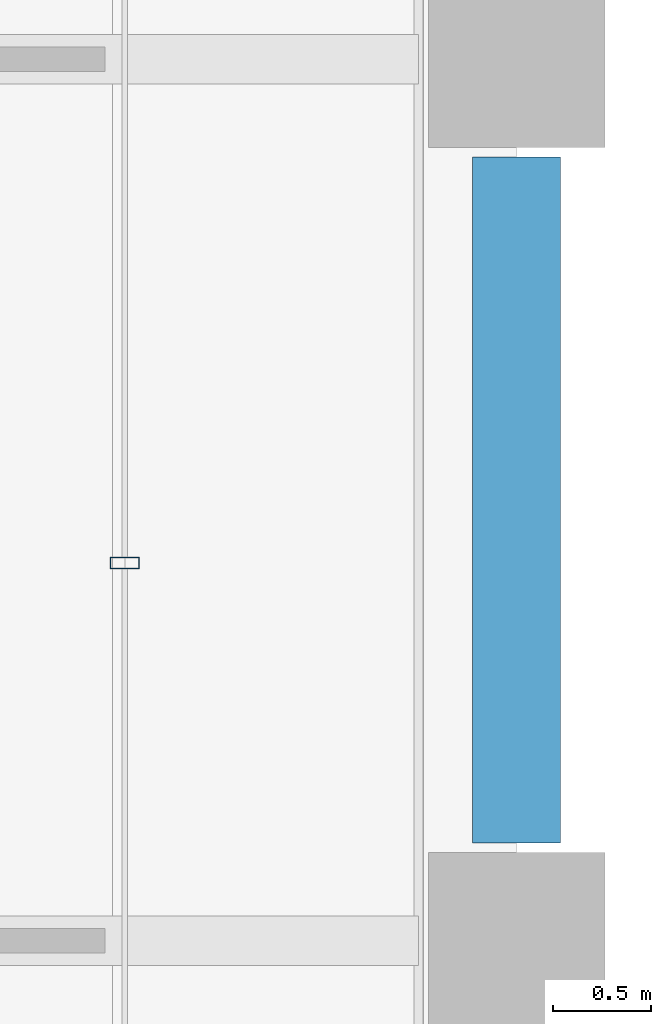
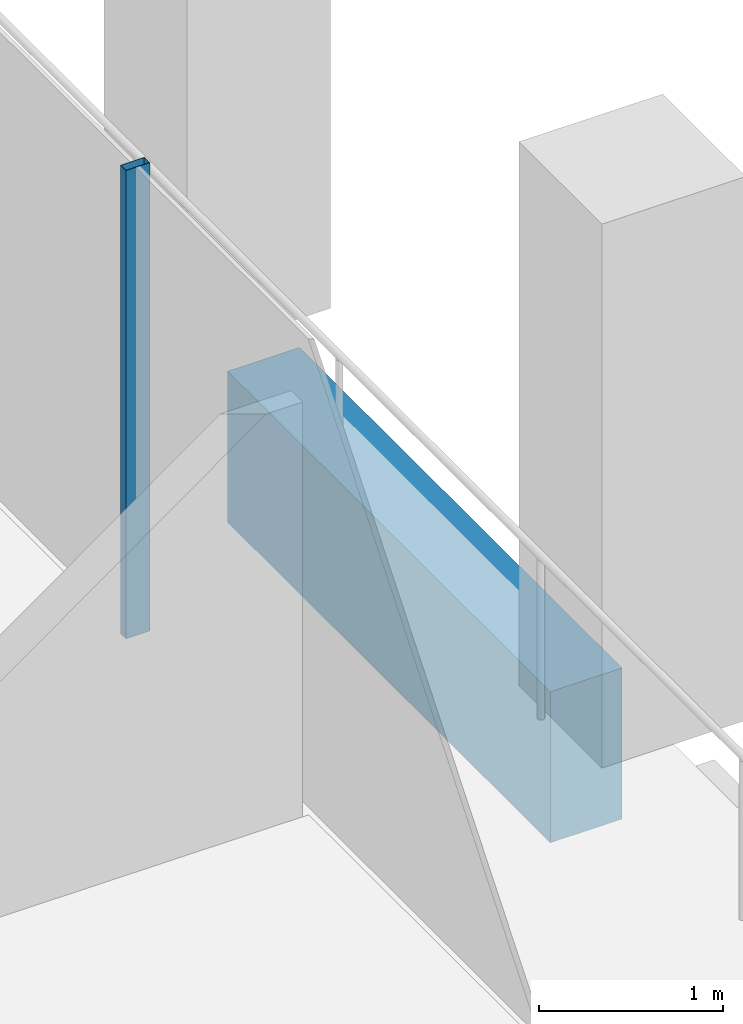
# One storey, part 17 of 44: 1 beam, 1 member, 1 element without a shape of its own.
"""IFC4 building model written with IfcOpenShell, lengths in metres."""

from ifc_helpers import new_model, si_unit, direction, frame, origin, origin_2d, place, context, subcontext, project, spatial, rectangle, hollow_rectangle, extrude, material, material_profile, profile_set, type_object, element, aggregate, save


model = new_model("IFC4")

# Units and contexts
model_context = context("Model", 3, precision=1e-05, world=origin(), true_north=direction((0.0, 1.0)))
body_context = subcontext(model_context, "Body", "Model", "MODEL_VIEW")
ifc_project = project(units=[si_unit("LENGTHUNIT", "METRE"), si_unit("AREAUNIT", "SQUARE_METRE"), si_unit("VOLUMEUNIT", "CUBIC_METRE"), si_unit("PLANEANGLEUNIT", "RADIAN"), si_unit("MASSUNIT", "GRAM", prefix="KILO")], contexts=[model_context])

# Site, building, storey
site_placement = place(None, origin())
site = spatial("IfcSite", under=ifc_project, at=site_placement, CompositionType="ELEMENT")
building_placement = place(site_placement, origin())
building = spatial("IfcBuilding", under=site, at=building_placement, Name="Altepetl Exchange Towers", CompositionType="ELEMENT")
storey_placement = place(building_placement, frame((0.0, 0.0, 143.800048828125)))
storey = spatial("IfcBuildingStorey", under=building, at=storey_placement, Name="L35", CompositionType="ELEMENT", Elevation=143.800048828125)

# Curtain wall, member
ifc_material_1 = material(Name="Aluminium 6063-T6 glazing", Category="aluminium")
curtain_wall_type = type_object("IfcCurtainWallType", Name="Loggia glazing system", PredefinedType="NOTDEFINED", material=ifc_material_1)
curtain_wall_placement = place(storey_placement, origin())
curtain_wall = element("IfcCurtainWall", 1, at=curtain_wall_placement, inside=storey, type_object=curtain_wall_type, Name="CW1 run", PredefinedType="NOTDEFINED")
ifc_material_2 = material(Name="Aluminium 6063-T6", Category="aluminium")
ifc_material_profile_1 = material_profile(ifc_material_2, hollow_rectangle(XDim=0.06005859375, YDim=0.14990234375, WallThickness=0.0029296875, at=origin_2d()), Name="Mullion 60x150 aluminium")
ifc_profile_set_1 = profile_set([ifc_material_profile_1], Name="Aluminium 6063-T6")
member_type = type_object("IfcMemberType", Name="Mullion 60x150 aluminium", PredefinedType="MULLION", material=ifc_profile_set_1)
member_placement = place(storey_placement, frame((70.0, 46.927978515625, 0.0), z_axis=(0.0, 0.0, 1.0), x_axis=(0.0, 1.0, 0.0)))
member = element("IfcMember", 2, at=member_placement, type_object=member_type, Name="MU1 mullion", PredefinedType="MULLION", context=body_context, shape_type="SweptSolid", body=[
    extrude(hollow_rectangle(XDim=0.06005859375, YDim=0.14990234375, WallThickness=0.0029296875, at=origin_2d()), origin(), (0.0, 0.0, 1.0), 3.099853515625),
])
aggregate(curtain_wall, [member])

# Beam
ifc_material_3 = material(Name="Concrete C50/60 precast with cantera amarilla facing", Category="concrete")
ifc_material_profile_2 = material_profile(ifc_material_3, rectangle(XDim=0.449951171875, YDim=1.0, at=origin_2d()), Name="450 x 1000")
ifc_profile_set_2 = profile_set([ifc_material_profile_2], Name="Concrete C50/60 precast with cantera amarilla facing")
beam_type = type_object("IfcBeamType", Name="Spandrel beam 450x1000 cantera amarilla", PredefinedType="SPANDREL", material=ifc_profile_set_2)
beam_placement = place(storey_placement, frame((72.0, 45.5, -0.650146484375), z_axis=(0.0, 1.0, 0.0), x_axis=(-1.0, 0.0, 0.0)))
element("IfcBeam", 3, at=beam_placement, inside=storey, type_object=beam_type, Name="sp:A:L35:015", PredefinedType="SPANDREL", context=body_context, shape_type="SweptSolid", body=[
    extrude(rectangle(XDim=0.449951171875, YDim=1.0, at=origin_2d()), origin(), (0.0, 0.0, 1.0), 3.5),
])

save(model, "model.ifc")
